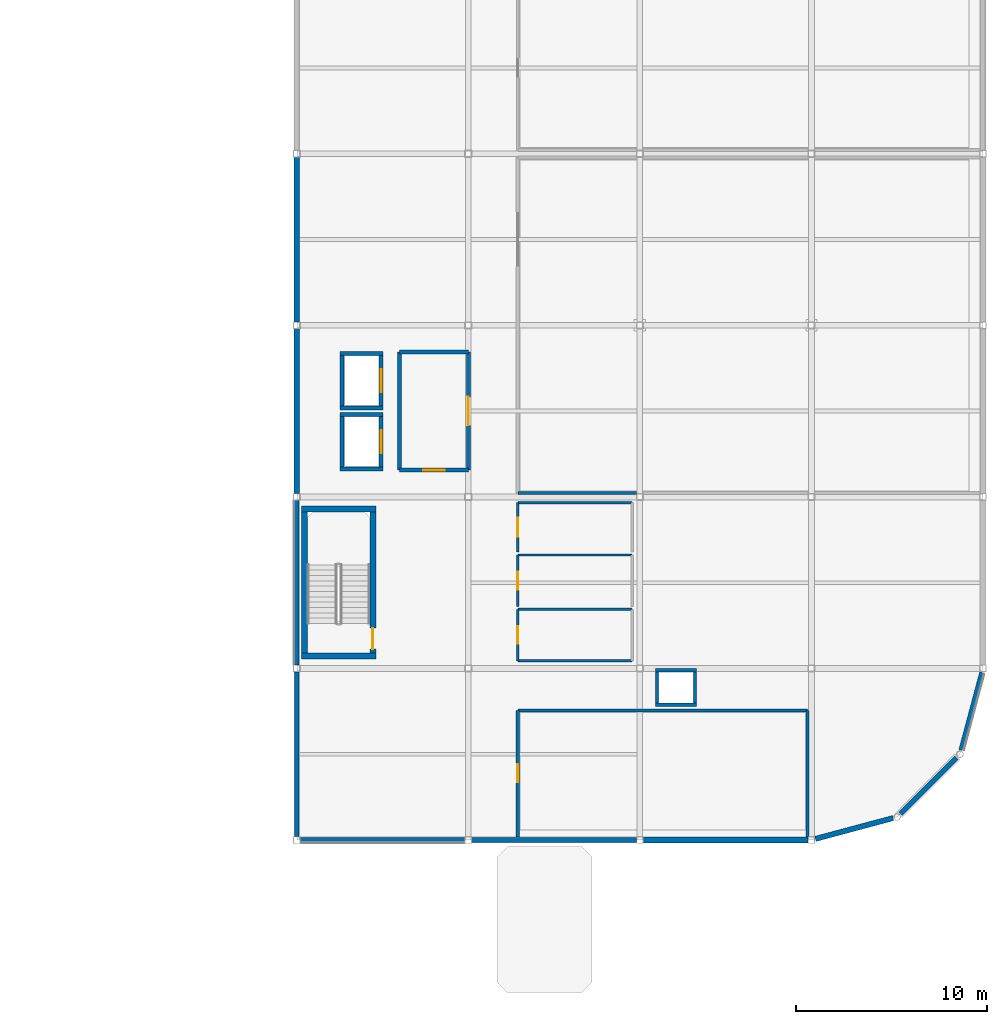
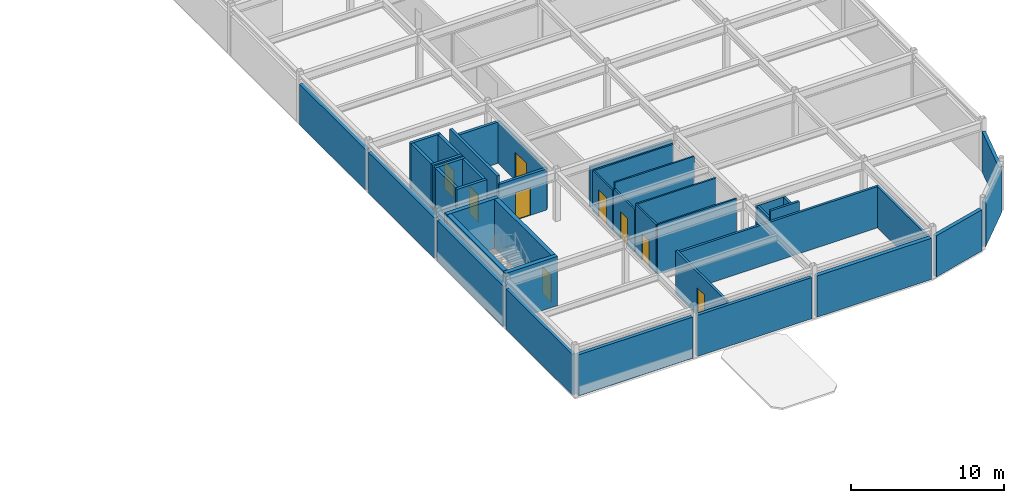
# One storey, part 31 of 40: 41 walls, 9 doors, 9 openings.
"""IFC4 building model written with IfcOpenShell, lengths in metres."""

from ifc_helpers import new_model, si_unit, direction, frame, frame_2d, origin, place, context, subcontext, project, spatial, rectangle, extrude, material, layer, layer_set, type_object, element, fill, save


model = new_model("IFC4")

# Units and contexts
model_context = context("Model", 3, precision=1e-05, world=origin(), true_north=direction((0.0, 1.0)))
body_context = subcontext(model_context, "Body", "Model", "MODEL_VIEW")
ifc_project = project(units=[si_unit("LENGTHUNIT", "METRE"), si_unit("AREAUNIT", "SQUARE_METRE"), si_unit("VOLUMEUNIT", "CUBIC_METRE"), si_unit("PLANEANGLEUNIT", "RADIAN"), si_unit("MASSUNIT", "GRAM", prefix="KILO")], contexts=[model_context])

# Site, building, storey
site_placement = place(None, origin())
site = spatial("IfcSite", under=ifc_project, at=site_placement, CompositionType="ELEMENT")
building_placement = place(site_placement, origin())
building = spatial("IfcBuilding", under=site, at=building_placement, Name="Suzunagisa Mobility Hub", CompositionType="ELEMENT")
storey_placement = place(building_placement, frame((0.0, 0.0, 21.89990234375)))
storey = spatial("IfcBuildingStorey", under=building, at=storey_placement, Name="L05", CompositionType="ELEMENT", Elevation=21.89990234375)

# Walls
ifc_material_1 = material(Name="Porcelain-Faced Insulated Concrete C30/37 Wall", Category="concrete")
ifc_layer_1 = layer(ifc_material_1, 0.260009765625)
ifc_layer_set_1 = layer_set([ifc_layer_1], Name="Porcelain-Faced Insulated Concrete C30/37 Wall")
wall_type_1 = type_object("IfcWallType", Name="Exterior Wall EW-03 260mm", PredefinedType="SOLIDWALL", material=ifc_layer_set_1)
wall_1_placement = place(storey_placement, frame((144.175048828125, 44.0, 0.0), z_axis=(0.0, 0.0, 1.0), x_axis=(1.0, 0.0, 0.0)))
element("IfcWall", 1, at=wall_1_placement, inside=storey, type_object=wall_type_1, Name="L05 Exterior Facade Wall EW-410", PredefinedType="SOLIDWALL", context=body_context, shape_type="SweptSolid", body=[
    extrude(rectangle(XDim=8.64990234375, YDim=0.260009765625, at=frame_2d((4.324951171875, 0.0))), origin(), (0.0, 0.0, 1.0), 3.2900390625),
])
wall_2_placement = place(storey_placement, frame((175.677734375, 45.383544921875, 0.0), z_axis=(0.0, 0.0, 1.0), x_axis=(0.707106781187, 0.707106781187, 0.0)))
element("IfcWall", 2, at=wall_2_placement, inside=storey, type_object=wall_type_1, Name="L05 Exterior Facade Wall EW-414", PredefinedType="SOLIDWALL", context=body_context, shape_type="SweptSolid", body=[
    extrude(rectangle(XDim=4.156005859375, YDim=0.260009765625, at=frame_2d((2.078125, 0.0))), origin(), (0.0, 0.0, 1.0), 3.5400390625),
])
wall_3_placement = place(storey_placement, frame((144.0, 61.824951171875, 0.0), z_axis=(0.0, 0.0, 1.0), x_axis=(0.0, -1.0, 0.0)))
element("IfcWall", 3, at=wall_3_placement, inside=storey, type_object=wall_type_1, Name="L05 Exterior Facade Wall EW-430", PredefinedType="SOLIDWALL", context=body_context, shape_type="SweptSolid", body=[
    extrude(rectangle(XDim=8.64990234375, YDim=0.260009765625, at=frame_2d((4.324951171875, 0.0))), origin(), (0.0, 0.0, 1.0), 3.239990234375),
])
ifc_material_2 = material(Name="Lightweight Insulated Autoclaved Concrete C30/37 Wall", Category="concrete")
ifc_layer_2 = layer(ifc_material_2, 0.239990234375)
ifc_layer_set_2 = layer_set([ifc_layer_2], Name="Lightweight Insulated Autoclaved Concrete C30/37 Wall")
wall_type_2 = type_object("IfcWallType", Name="Exterior Wall EW-04 240mm", PredefinedType="SOLIDWALL", material=ifc_layer_set_2)
wall_4_placement = place(storey_placement, frame((153.175048828125, 44.0, 0.0), z_axis=(0.0, 0.0, 1.0), x_axis=(1.0, 0.0, 0.0)))
element("IfcWall", 4, at=wall_4_placement, inside=storey, type_object=wall_type_2, Name="L05 Exterior Facade Wall EW-411", PredefinedType="SOLIDWALL", context=body_context, shape_type="SweptSolid", body=[
    extrude(rectangle(XDim=8.64990234375, YDim=0.239990234375, at=frame_2d((4.324951171875, 0.0))), origin(), (0.0, 0.0, 1.0), 3.2900390625),
])
wall_5_placement = place(storey_placement, frame((178.8505859375, 48.710205078125, 0.0), z_axis=(0.0, 0.0, 1.0), x_axis=(0.258823661135, 0.965924589415, 0.0)))
element("IfcWall", 5, at=wall_5_placement, inside=storey, type_object=wall_type_2, Name="L05 Exterior Facade Wall EW-415", PredefinedType="SOLIDWALL", context=body_context, shape_type="SweptSolid", body=[
    extrude(rectangle(XDim=4.226806640625, YDim=0.239990234375, at=frame_2d((2.11328125, 0.0))), origin(), (0.0, 0.0, 1.0), 3.239990234375),
])
wall_6_placement = place(storey_placement, frame((144.0, 52.824951171875, 0.0), z_axis=(0.0, 0.0, 1.0), x_axis=(0.0, -1.0, 0.0)))
element("IfcWall", 6, at=wall_6_placement, inside=storey, type_object=wall_type_2, Name="L05 Exterior Facade Wall EW-431", PredefinedType="SOLIDWALL", context=body_context, shape_type="SweptSolid", body=[
    extrude(rectangle(XDim=8.64990234375, YDim=0.239990234375, at=frame_2d((4.324951171875, 0.0))), origin(), (0.0, 0.0, 1.0), 3.239990234375),
])
ifc_layer_3 = layer(ifc_material_1, 0.280029296875)
ifc_layer_set_3 = layer_set([ifc_layer_3], Name="Porcelain-Faced Insulated Concrete C30/37 Wall")
wall_type_3 = type_object("IfcWallType", Name="Exterior Wall EW-08 280mm", PredefinedType="SOLIDWALL", material=ifc_layer_set_3)
wall_7_placement = place(storey_placement, frame((171.20703125, 44.055419921875, 0.0), z_axis=(0.0, 0.0, 1.0), x_axis=(0.965924589415, 0.258823661135, 0.0)))
element("IfcWall", 7, at=wall_7_placement, inside=storey, type_object=wall_type_3, Name="L05 Exterior Facade Wall EW-413", PredefinedType="SOLIDWALL", context=body_context, shape_type="SweptSolid", body=[
    extrude(rectangle(XDim=4.226806640625, YDim=0.280029296875, at=frame_2d((2.11328125, 0.0))), origin(), (0.0, 0.0, 1.0), 3.2900390625),
])
wall_8_placement = place(storey_placement, frame((144.0, 70.824951171875, 0.0), z_axis=(0.0, 0.0, 1.0), x_axis=(0.0, -1.0, 0.0)))
element("IfcWall", 8, at=wall_8_placement, inside=storey, type_object=wall_type_3, Name="L05 Exterior Facade Wall EW-429", PredefinedType="SOLIDWALL", context=body_context, shape_type="SweptSolid", body=[
    extrude(rectangle(XDim=8.64990234375, YDim=0.280029296875, at=frame_2d((4.324951171875, 0.0))), origin(), (0.0, 0.0, 1.0), 3.239990234375),
])
ifc_material_3 = material(Name="Insulated Precast Concrete C35/45 Panel", Category="concrete")
ifc_layer_4 = layer(ifc_material_3, 0.300048828125)
ifc_layer_set_4 = layer_set([ifc_layer_4], Name="Insulated Precast Concrete C35/45 Panel")
wall_type_4 = type_object("IfcWallType", Name="Exterior Wall EW-09 300mm", PredefinedType="SOLIDWALL", material=ifc_layer_set_4)
wall_9_placement = place(storey_placement, frame((162.175048828125, 44.0, 0.0), z_axis=(0.0, 0.0, 1.0), x_axis=(1.0, 0.0, 0.0)))
element("IfcWall", 9, at=wall_9_placement, inside=storey, type_object=wall_type_4, Name="L05 Exterior Facade Wall EW-412", PredefinedType="SOLIDWALL", context=body_context, shape_type="SweptSolid", body=[
    extrude(rectangle(XDim=8.64990234375, YDim=0.300048828125, at=frame_2d((4.324951171875, 0.0))), origin(), (0.0, 0.0, 1.0), 3.2900390625),
])
wall_10_placement = place(storey_placement, frame((144.0, 79.824951171875, 0.0), z_axis=(0.0, 0.0, 1.0), x_axis=(0.0, -1.0, 0.0)))
element("IfcWall", 10, at=wall_10_placement, inside=storey, type_object=wall_type_4, Name="L05 Exterior Facade Wall EW-428", PredefinedType="SOLIDWALL", context=body_context, shape_type="SweptSolid", body=[
    extrude(rectangle(XDim=8.64990234375, YDim=0.300048828125, at=frame_2d((4.324951171875, 0.0))), origin(), (0.0, 0.0, 1.0), 3.239990234375),
])
ifc_material_4 = material(Name="Concrete C35/45", Category="concrete")
ifc_layer_5 = layer(ifc_material_4, 0.31005859375)
ifc_layer_set_5 = layer_set([ifc_layer_5], Name="Concrete C35/45")
wall_type_5 = type_object("IfcWallType", Name="Interior Wall IW-01 310mm", PredefinedType="SHEAR", material=ifc_layer_set_5)
for number, where, z_axis, x_axis, name in (
    (11, (144.25, 53.64501953125, 0.0), (0.0, 0.0, 1.0), (1.0, 0.0, 0.0), "L05 Core C5 Shear Wall SW-437"),
    (12, (144.25, 61.35498046875, 0.0), (0.0, 0.0, 1.0), (1.0, 0.0, 0.0), "L05 Core C5 Shear Wall SW-438"),
):
    element("IfcWall", number, at=place(storey_placement, frame(where, z_axis=z_axis, x_axis=x_axis)), inside=storey, type_object=wall_type_5, Name=name, PredefinedType="SHEAR", context=body_context, shape_type="SweptSolid", body=[
        extrude(rectangle(XDim=3.89990234375, YDim=0.31005859375, at=frame_2d((1.949951171875, 0.0))), origin(), (0.0, 0.0, 1.0), 3.940185546875),
    ])
wall_11_placement = place(storey_placement, frame((144.405029296875, 53.800048828125, 0.0), z_axis=(0.0, 0.0, 1.0), x_axis=(0.0, 1.0, 0.0)))
element("IfcWall", 13, at=wall_11_placement, inside=storey, type_object=wall_type_5, Name="L05 Core C5 Shear Wall SW-439", PredefinedType="SHEAR", context=body_context, shape_type="SweptSolid", body=[
    extrude(rectangle(XDim=7.39990234375, YDim=0.31005859375, at=frame_2d((3.699951171875, 0.0))), origin(), (0.0, 0.0, 1.0), 3.940185546875),
])

# Wall, opening, door
wall_12_placement = place(storey_placement, frame((147.9951171875, 53.800048828125, 0.0), z_axis=(0.0, 0.0, 1.0), x_axis=(0.0, 1.0, 0.0)))
wall_12 = element("IfcWall", 14, at=wall_12_placement, inside=storey, type_object=wall_type_5, Name="L05 Core C5 Shear Wall SW-440", PredefinedType="SHEAR", context=body_context, shape_type="SweptSolid", body=[
    extrude(rectangle(XDim=7.39990234375, YDim=0.31005859375, at=frame_2d((3.699951171875, 0.0))), origin(), (0.0, 0.0, 1.0), 3.940185546875),
])
opening_1_placement = place(wall_12_placement, frame((0.219970703125, 0.0, 0.0)))
opening_1 = element("IfcOpeningElement", 15, at=opening_1_placement, cuts=wall_12, Name="Opening DR-05", PredefinedType="OPENING", context=body_context, shape_type="SweptSolid", body=[
    extrude(rectangle(XDim=1.10009765625, YDim=2.14990234375, at=frame_2d((0.550048828125, 1.074951171875))), frame((0.0, 0.166015625, 0.0), z_axis=(0.0, -1.0, 0.0), x_axis=(1.0, 0.0, 0.0)), (0.0, 0.0, 1.0), 0.33203125),
])
ifc_material_5 = material(Name="Fire-Rated Hollow Steel Stair Door", Category="steel")
door_type_1 = type_object("IfcDoorType", Name="Interior Door DR-05 1100x2150", OperationType="SINGLE_SWING_LEFT", PredefinedType="DOOR", material=ifc_material_5)
door_1_placement = place(opening_1_placement, origin())
door_1 = element("IfcDoor", 16, at=door_1_placement, inside=storey, type_object=door_type_1, Name="L05 Core C5 Escape Stair Fire Door SD-107", OperationType="SINGLE_SWING_RIGHT", OverallHeight=2.14990234375, OverallWidth=1.10009765625, PredefinedType="DOOR", context=body_context, shape_type="SweptSolid", body=[
    extrude(rectangle(XDim=1.10009765625, YDim=2.14990234375, at=frame_2d((0.550048828125, 1.074951171875))), frame((0.0, 0.02490234375, 0.0), z_axis=(0.0, -1.0, 0.0), x_axis=(1.0, 0.0, 0.0)), (0.0, 0.0, 1.0), 0.050048828125),
])
fill(opening_1, door_1)

# Walls
ifc_material_6 = material(Name="Moisture-Resistant Gypsum Partition", Category="gypsum")
ifc_layer_6 = layer(ifc_material_6, 0.1201171875)
ifc_layer_set_6 = layer_set([ifc_layer_6], Name="Moisture-Resistant Gypsum Partition")
wall_type_6 = type_object("IfcWallType", Name="Interior Wall IW-02 120mm", PredefinedType="PARTITIONING", material=ifc_layer_set_6)
for number, where, z_axis, x_axis, name in (
    (17, (155.60009765625, 53.39990234375, 0.0), (0.0, 0.0, 1.0), (1.0, 0.0, 0.0), "L05 Male Restroom WC L05 Partition PW-625"),
    (18, (155.60009765625, 56.10009765625, 0.0), (0.0, 0.0, 1.0), (1.0, 0.0, 0.0), "L05 Male Restroom WC L05 Partition PW-626"),
):
    element("IfcWall", number, at=place(storey_placement, frame(where, z_axis=z_axis, x_axis=x_axis)), inside=storey, type_object=wall_type_6, Name=name, PredefinedType="PARTITIONING", context=body_context, shape_type="SweptSolid", body=[
        extrude(rectangle(XDim=6.0, YDim=0.1201171875, at=frame_2d((3.0, 0.0))), origin(), (0.0, 0.0, 1.0), 3.940185546875),
    ])

# Wall, opening, door
wall_13_placement = place(storey_placement, frame((155.60009765625, 53.39990234375, 0.0), z_axis=(0.0, 0.0, 1.0), x_axis=(0.0, 1.0, 0.0)))
wall_13 = element("IfcWall", 19, at=wall_13_placement, inside=storey, type_object=wall_type_6, Name="L05 Male Restroom WC L05 Partition PW-627", PredefinedType="PARTITIONING", context=body_context, shape_type="SweptSolid", body=[
    extrude(rectangle(XDim=2.7001953125, YDim=0.1201171875, at=frame_2d((1.35009765625, 0.0))), origin(), (0.0, 0.0, 1.0), 3.940185546875),
])
opening_2_placement = place(wall_13_placement, frame((0.889892578125, 0.0, 0.0)))
opening_2 = element("IfcOpeningElement", 20, at=opening_2_placement, cuts=wall_13, Name="Opening DR-02", PredefinedType="OPENING", context=body_context, shape_type="SweptSolid", body=[
    extrude(rectangle(XDim=0.919921875, YDim=2.10009765625, at=frame_2d((0.4599609375, 1.050048828125))), frame((0.0, 0.071044921875, 0.0), z_axis=(0.0, -1.0, 0.0), x_axis=(1.0, 0.0, 0.0)), (0.0, 0.0, 1.0), 0.14208984375),
])
ifc_material_7 = material(Name="Sanitary Restroom Laminate Door")
door_type_2 = type_object("IfcDoorType", Name="Interior Door DR-02 920x2100", OperationType="SINGLE_SWING_LEFT", PredefinedType="DOOR", material=ifc_material_7)
door_2_placement = place(opening_2_placement, origin())
door_2 = element("IfcDoor", 21, at=door_2_placement, inside=storey, type_object=door_type_2, Name="L05 Male Restroom WC L05 Door DR-155", OperationType="SINGLE_SWING_RIGHT", OverallHeight=2.10009765625, OverallWidth=0.919921875, PredefinedType="DOOR", context=body_context, shape_type="SweptSolid", body=[
    extrude(rectangle(XDim=0.919921875, YDim=2.10009765625, at=frame_2d((0.4599609375, 1.050048828125))), frame((0.0, 0.02490234375, 0.0), z_axis=(0.0, -1.0, 0.0), x_axis=(1.0, 0.0, 0.0)), (0.0, 0.0, 1.0), 0.050048828125),
])
fill(opening_2, door_2)

# Wall
wall_14_placement = place(storey_placement, frame((155.60009765625, 58.949951171875, 0.0), z_axis=(0.0, 0.0, 1.0), x_axis=(1.0, 0.0, 0.0)))
element("IfcWall", 22, at=wall_14_placement, inside=storey, type_object=wall_type_6, Name="L05 Female Restroom WC L05 Partition PW-629", PredefinedType="PARTITIONING", context=body_context, shape_type="SweptSolid", body=[
    extrude(rectangle(XDim=6.0, YDim=0.1201171875, at=frame_2d((3.0, 0.0))), origin(), (0.0, 0.0, 1.0), 3.940185546875),
])

# Wall, opening, door
wall_15_placement = place(storey_placement, frame((155.60009765625, 56.25, 0.0), z_axis=(0.0, 0.0, 1.0), x_axis=(0.0, 1.0, 0.0)))
wall_15 = element("IfcWall", 23, at=wall_15_placement, inside=storey, type_object=wall_type_6, Name="L05 Female Restroom WC L05 Partition PW-630", PredefinedType="PARTITIONING", context=body_context, shape_type="SweptSolid", body=[
    extrude(rectangle(XDim=2.699951171875, YDim=0.1201171875, at=frame_2d((1.35009765625, 0.0))), origin(), (0.0, 0.0, 1.0), 3.440185546875),
])
opening_3_placement = place(wall_15_placement, frame((0.875, 0.0, 0.0)))
opening_3 = element("IfcOpeningElement", 24, at=opening_3_placement, cuts=wall_15, Name="Opening DR-19", PredefinedType="OPENING", context=body_context, shape_type="SweptSolid", body=[
    extrude(rectangle(XDim=0.949951171875, YDim=2.14990234375, at=frame_2d((0.47509765625, 1.074951171875))), frame((0.0, 0.071044921875, 0.0), z_axis=(0.0, -1.0, 0.0), x_axis=(1.0, 0.0, 0.0)), (0.0, 0.0, 1.0), 0.14208984375),
])
ifc_material_8 = material(Name="Sanitary Restroom Acoustic Door")
door_type_3 = type_object("IfcDoorType", Name="Interior Door DR-19 950x2150", OperationType="SINGLE_SWING_LEFT", PredefinedType="DOOR", material=ifc_material_8)
door_3_placement = place(opening_3_placement, origin())
door_3 = element("IfcDoor", 25, at=door_3_placement, inside=storey, type_object=door_type_3, Name="L05 Female Restroom WC L05 Door DR-156", OperationType="SINGLE_SWING_LEFT", OverallHeight=2.14990234375, OverallWidth=0.949951171875, PredefinedType="DOOR", context=body_context, shape_type="SweptSolid", body=[
    extrude(rectangle(XDim=0.949951171875, YDim=2.14990234375, at=frame_2d((0.47509765625, 1.074951171875))), frame((0.0, 0.02490234375, 0.0), z_axis=(0.0, -1.0, 0.0), x_axis=(1.0, 0.0, 0.0)), (0.0, 0.0, 1.0), 0.050048828125),
])
fill(opening_3, door_3)

# Wall
wall_16_placement = place(storey_placement, frame((155.60009765625, 61.699951171875, 0.0), z_axis=(0.0, 0.0, 1.0), x_axis=(1.0, 0.0, 0.0)))
element("IfcWall", 26, at=wall_16_placement, inside=storey, type_object=wall_type_6, Name="L05 Accessible Restroom WC L05 Partition PW-632", PredefinedType="PARTITIONING", context=body_context, shape_type="SweptSolid", body=[
    extrude(rectangle(XDim=6.0, YDim=0.1201171875, at=frame_2d((3.0, 0.0))), origin(), (0.0, 0.0, 1.0), 3.239990234375),
])

# Wall, opening, door
wall_17_placement = place(storey_placement, frame((155.60009765625, 59.10009765625, 0.0), z_axis=(0.0, 0.0, 1.0), x_axis=(0.0, 1.0, 0.0)))
wall_17 = element("IfcWall", 27, at=wall_17_placement, inside=storey, type_object=wall_type_6, Name="L05 Accessible Restroom WC L05 Partition PW-633", PredefinedType="PARTITIONING", context=body_context, shape_type="SweptSolid", body=[
    extrude(rectangle(XDim=2.599853515625, YDim=0.1201171875, at=frame_2d((1.2998046875, 0.0))), origin(), (0.0, 0.0, 1.0), 3.239990234375),
])
opening_4_placement = place(wall_17_placement, frame((0.800048828125, 0.0, 0.0)))
opening_4 = element("IfcOpeningElement", 28, at=opening_4_placement, cuts=wall_17, Name="Opening DR-01", PredefinedType="OPENING", context=body_context, shape_type="SweptSolid", body=[
    extrude(rectangle(XDim=1.0, YDim=2.14990234375, at=frame_2d((0.5, 1.074951171875))), frame((0.0, 0.071044921875, 0.0), z_axis=(0.0, -1.0, 0.0), x_axis=(1.0, 0.0, 0.0)), (0.0, 0.0, 1.0), 0.14208984375),
])
ifc_material_9 = material(Name="Barrier-Free Accessible WC Door")
door_type_4 = type_object("IfcDoorType", Name="Interior Door DR-01 1000x2150", OperationType="SINGLE_SWING_LEFT", PredefinedType="DOOR", material=ifc_material_9)
door_4_placement = place(opening_4_placement, origin())
door_4 = element("IfcDoor", 29, at=door_4_placement, inside=storey, type_object=door_type_4, Name="L05 Accessible Restroom WC L05 Door DR-157", OperationType="SINGLE_SWING_RIGHT", OverallHeight=2.14990234375, OverallWidth=1.0, PredefinedType="DOOR", context=body_context, shape_type="SweptSolid", body=[
    extrude(rectangle(XDim=1.0, YDim=2.14990234375, at=frame_2d((0.5, 1.074951171875))), frame((0.0, 0.02490234375, 0.0), z_axis=(0.0, -1.0, 0.0), x_axis=(1.0, 0.0, 0.0)), (0.0, 0.0, 1.0), 0.050048828125),
])
fill(opening_4, door_4)

ifc_material_10 = material(Name="Fire-Rated Gypsum Stud Partition", Category="gypsum")
ifc_layer_7 = layer(ifc_material_10, 0.2099609375)
ifc_layer_set_7 = layer_set([ifc_layer_7], Name="Fire-Rated Gypsum Stud Partition")
wall_type_7 = type_object("IfcWallType", Name="Interior Wall IW-03 210mm", PredefinedType="PARTITIONING", material=ifc_layer_set_7)
wall_18_placement = place(storey_placement, frame((148.425048828125, 63.580078125, 0.0), z_axis=(0.0, 0.0, 1.0), x_axis=(0.0, 1.0, 0.0)))
wall_18 = element("IfcWall", 30, at=wall_18_placement, inside=storey, type_object=wall_type_7, Name="L05 Lift LF-05 Shaft Front Wall", PredefinedType="PARTITIONING", context=body_context, shape_type="SweptSolid", body=[
    extrude(rectangle(XDim=2.639892578125, YDim=0.2099609375, at=frame_2d((1.31982421875, 0.0))), origin(), (0.0, 0.0, 1.0), 3.940185546875),
])
opening_5_placement = place(wall_18_placement, frame((0.719970703125, 0.0, 0.0)))
opening_5 = element("IfcOpeningElement", 31, at=opening_5_placement, cuts=wall_18, Name="Opening LD-03", PredefinedType="OPENING", context=body_context, shape_type="SweptSolid", body=[
    extrude(rectangle(XDim=1.199951171875, YDim=2.199951171875, at=frame_2d((0.60009765625, 1.10009765625))), frame((0.0, 0.115966796875, 0.0), z_axis=(0.0, -1.0, 0.0), x_axis=(1.0, 0.0, 0.0)), (0.0, 0.0, 1.0), 0.23193359375),
])
ifc_material_11 = material(Name="Brushed Stainless Steel SUS304", Category="metal")
door_type_5 = type_object("IfcDoorType", Name="Lift Landing Sliding Door LD-03 1200x2200", OperationType="SLIDING_TO_LEFT", PredefinedType="DOOR", material=ifc_material_11)
door_5_placement = place(opening_5_placement, origin())
door_5 = element("IfcDoor", 32, at=door_5_placement, inside=storey, type_object=door_type_5, Name="L05 Lift LF-05 Sliding Landing Door", OperationType="SLIDING_TO_RIGHT", OverallHeight=2.199951171875, OverallWidth=1.199951171875, PredefinedType="DOOR", context=body_context, shape_type="SweptSolid", body=[
    extrude(rectangle(XDim=1.199951171875, YDim=2.199951171875, at=frame_2d((0.60009765625, 1.10009765625))), frame((0.0, 0.02490234375, 0.0), z_axis=(0.0, -1.0, 0.0), x_axis=(1.0, 0.0, 0.0)), (0.0, 0.0, 1.0), 0.050048828125),
])
fill(opening_5, door_5)

# Walls
wall_19_placement = place(storey_placement, frame((146.375, 63.580078125, 0.0), z_axis=(0.0, 0.0, 1.0), x_axis=(0.0, 1.0, 0.0)))
element("IfcWall", 33, at=wall_19_placement, inside=storey, type_object=wall_type_7, Name="L05 Lift LF-05 Shaft Back Wall", PredefinedType="PARTITIONING", context=body_context, shape_type="SweptSolid", body=[
    extrude(rectangle(XDim=2.639892578125, YDim=0.2099609375, at=frame_2d((1.31982421875, 0.0))), origin(), (0.0, 0.0, 1.0), 3.940185546875),
])
for number, where, z_axis, x_axis, name in (
    (34, (146.27001953125, 63.47509765625, 0.0), (0.0, 0.0, 1.0), (1.0, 0.0, 0.0), "L05 Lift LF-05 Shaft South Wall"),
    (35, (146.27001953125, 66.324951171875, 0.0), (0.0, 0.0, 1.0), (1.0, 0.0, 0.0), "L05 Lift LF-05 Shaft North Wall"),
):
    element("IfcWall", number, at=place(storey_placement, frame(where, z_axis=z_axis, x_axis=x_axis)), inside=storey, type_object=wall_type_7, Name=name, PredefinedType="PARTITIONING", context=body_context, shape_type="SweptSolid", body=[
        extrude(rectangle(XDim=2.260009765625, YDim=0.2099609375, at=frame_2d((1.1298828125, 0.0))), origin(), (0.0, 0.0, 1.0), 3.940185546875),
    ])

# Wall, opening, door
wall_20_placement = place(storey_placement, frame((148.425048828125, 66.780029296875, 0.0), z_axis=(0.0, 0.0, 1.0), x_axis=(0.0, 1.0, 0.0)))
wall_20 = element("IfcWall", 36, at=wall_20_placement, inside=storey, type_object=wall_type_7, Name="L05 Lift LF-06 Shaft Front Wall", PredefinedType="PARTITIONING", context=body_context, shape_type="SweptSolid", body=[
    extrude(rectangle(XDim=2.639892578125, YDim=0.2099609375, at=frame_2d((1.31982421875, 0.0))), origin(), (0.0, 0.0, 1.0), 3.940185546875),
])
opening_6_placement = place(wall_20_placement, frame((0.719970703125, 0.0, 0.0)))
opening_6 = element("IfcOpeningElement", 37, at=opening_6_placement, cuts=wall_20, Name="Opening LD-03", PredefinedType="OPENING", context=body_context, shape_type="SweptSolid", body=[
    extrude(rectangle(XDim=1.199951171875, YDim=2.199951171875, at=frame_2d((0.60009765625, 1.10009765625))), frame((0.0, 0.115966796875, 0.0), z_axis=(0.0, -1.0, 0.0), x_axis=(1.0, 0.0, 0.0)), (0.0, 0.0, 1.0), 0.23193359375),
])
door_6_placement = place(opening_6_placement, origin())
door_6 = element("IfcDoor", 38, at=door_6_placement, inside=storey, type_object=door_type_5, Name="L05 Lift LF-06 Sliding Landing Door", OperationType="SLIDING_TO_LEFT", OverallHeight=2.199951171875, OverallWidth=1.199951171875, PredefinedType="DOOR", context=body_context, shape_type="SweptSolid", body=[
    extrude(rectangle(XDim=1.199951171875, YDim=2.199951171875, at=frame_2d((0.60009765625, 1.10009765625))), frame((0.0, 0.02490234375, 0.0), z_axis=(0.0, -1.0, 0.0), x_axis=(1.0, 0.0, 0.0)), (0.0, 0.0, 1.0), 0.050048828125),
])
fill(opening_6, door_6)

# Walls
wall_21_placement = place(storey_placement, frame((146.375, 66.780029296875, 0.0), z_axis=(0.0, 0.0, 1.0), x_axis=(0.0, 1.0, 0.0)))
element("IfcWall", 39, at=wall_21_placement, inside=storey, type_object=wall_type_7, Name="L05 Lift LF-06 Shaft Back Wall", PredefinedType="PARTITIONING", context=body_context, shape_type="SweptSolid", body=[
    extrude(rectangle(XDim=2.639892578125, YDim=0.2099609375, at=frame_2d((1.31982421875, 0.0))), origin(), (0.0, 0.0, 1.0), 3.940185546875),
])
for number, where, z_axis, x_axis, name in (
    (40, (146.27001953125, 66.675048828125, 0.0), (0.0, 0.0, 1.0), (1.0, 0.0, 0.0), "L05 Lift LF-06 Shaft South Wall"),
    (41, (146.27001953125, 69.52490234375, 0.0), (0.0, 0.0, 1.0), (1.0, 0.0, 0.0), "L05 Lift LF-06 Shaft North Wall"),
):
    element("IfcWall", number, at=place(storey_placement, frame(where, z_axis=z_axis, x_axis=x_axis)), inside=storey, type_object=wall_type_7, Name=name, PredefinedType="PARTITIONING", context=body_context, shape_type="SweptSolid", body=[
        extrude(rectangle(XDim=2.260009765625, YDim=0.2099609375, at=frame_2d((1.1298828125, 0.0))), origin(), (0.0, 0.0, 1.0), 3.940185546875),
    ])

# Wall, opening, door
wall_22_placement = place(storey_placement, frame((149.39990234375, 63.39990234375, 0.0), z_axis=(0.0, 0.0, 1.0), x_axis=(1.0, 0.0, 0.0)))
wall_22 = element("IfcWall", 42, at=wall_22_placement, inside=storey, type_object=wall_type_7, Name="L05 Firefighting Lift Lobby L05 Partition PW-557", PredefinedType="PARTITIONING", context=body_context, shape_type="SweptSolid", body=[
    extrude(rectangle(XDim=3.60009765625, YDim=0.2099609375, at=frame_2d((1.800048828125, 0.0))), origin(), (0.0, 0.0, 1.0), 3.2900390625),
])
opening_7_placement = place(wall_22_placement, frame((1.22509765625, 0.0, 0.0)))
opening_7 = element("IfcOpeningElement", 43, at=opening_7_placement, cuts=wall_22, Name="Opening DR-20", PredefinedType="OPENING", context=body_context, shape_type="SweptSolid", body=[
    extrude(rectangle(XDim=1.14990234375, YDim=2.199951171875, at=frame_2d((0.574951171875, 1.10009765625))), frame((0.0, 0.115966796875, 0.0), z_axis=(0.0, -1.0, 0.0), x_axis=(1.0, 0.0, 0.0)), (0.0, 0.0, 1.0), 0.23193359375),
])
door_type_6 = type_object("IfcDoorType", Name="Interior Door DR-20 1150x2200", OperationType="SINGLE_SWING_LEFT", PredefinedType="DOOR", material=ifc_material_5)
door_7_placement = place(opening_7_placement, origin())
door_7 = element("IfcDoor", 44, at=door_7_placement, inside=storey, type_object=door_type_6, Name="L05 Firefighting Lobby to Escape Stair Door SD-133", OperationType="SINGLE_SWING_RIGHT", OverallHeight=2.199951171875, OverallWidth=1.14990234375, PredefinedType="DOOR", context=body_context, shape_type="SweptSolid", body=[
    extrude(rectangle(XDim=1.14990234375, YDim=2.199951171875, at=frame_2d((0.574951171875, 1.10009765625))), frame((0.0, 0.02490234375, 0.0), z_axis=(0.0, -1.0, 0.0), x_axis=(1.0, 0.0, 0.0)), (0.0, 0.0, 1.0), 0.050048828125),
])
fill(opening_7, door_7)

# Walls
wall_23_placement = place(storey_placement, frame((149.39990234375, 69.60009765625, 0.0), z_axis=(0.0, 0.0, 1.0), x_axis=(1.0, 0.0, 0.0)))
element("IfcWall", 45, at=wall_23_placement, inside=storey, type_object=wall_type_7, Name="L05 Firefighting Lift Lobby L05 Partition PW-558", PredefinedType="PARTITIONING", context=body_context, shape_type="SweptSolid", body=[
    extrude(rectangle(XDim=3.60009765625, YDim=0.2099609375, at=frame_2d((1.800048828125, 0.0))), origin(), (0.0, 0.0, 1.0), 3.2900390625),
])
wall_24_placement = place(storey_placement, frame((149.39990234375, 63.39990234375, 0.0), z_axis=(0.0, 0.0, 1.0), x_axis=(0.0, 1.0, 0.0)))
element("IfcWall", 46, at=wall_24_placement, inside=storey, type_object=wall_type_7, Name="L05 Firefighting Lift Lobby L05 Partition PW-559", PredefinedType="PARTITIONING", context=body_context, shape_type="SweptSolid", body=[
    extrude(rectangle(XDim=6.2001953125, YDim=0.2099609375, at=frame_2d((3.10009765625, 0.0))), origin(), (0.0, 0.0, 1.0), 3.940185546875),
])

# Wall, opening, door
wall_25_placement = place(storey_placement, frame((153.0, 63.39990234375, 0.0), z_axis=(0.0, 0.0, 1.0), x_axis=(0.0, 1.0, 0.0)))
wall_25 = element("IfcWall", 47, at=wall_25_placement, inside=storey, type_object=wall_type_7, Name="L05 Firefighting Lift Lobby L05 Partition PW-560", PredefinedType="PARTITIONING", context=body_context, shape_type="SweptSolid", body=[
    extrude(rectangle(XDim=6.2001953125, YDim=0.2099609375, at=frame_2d((3.10009765625, 0.0))), origin(), (0.0, 0.0, 1.0), 3.2900390625),
])
opening_8_placement = place(wall_25_placement, frame((2.35009765625, 0.0, 0.0)))
opening_8 = element("IfcOpeningElement", 48, at=opening_8_placement, cuts=wall_25, Name="Opening DR-15", PredefinedType="OPENING", context=body_context, shape_type="SweptSolid", body=[
    extrude(rectangle(XDim=1.5, YDim=2.25, at=frame_2d((0.75, 1.125))), frame((0.0, 0.115966796875, 0.0), z_axis=(0.0, -1.0, 0.0), x_axis=(1.0, 0.0, 0.0)), (0.0, 0.0, 1.0), 0.23193359375),
])
ifc_material_12 = material(Name="Smoke-Control Double Fire Door")
door_type_7 = type_object("IfcDoorType", Name="Interior Door DR-15 1500x2250", OperationType="SINGLE_SWING_LEFT", PredefinedType="DOOR", material=ifc_material_12)
door_8_placement = place(opening_8_placement, origin())
door_8 = element("IfcDoor", 49, at=door_8_placement, inside=storey, type_object=door_type_7, Name="L05 Firefighting Lift Lobby L05 Door DR-134", OperationType="SINGLE_SWING_LEFT", OverallHeight=2.25, OverallWidth=1.5, PredefinedType="DOOR", context=body_context, shape_type="SweptSolid", body=[
    extrude(rectangle(XDim=1.5, YDim=2.25, at=frame_2d((0.75, 1.125))), frame((0.0, 0.02490234375, 0.0), z_axis=(0.0, -1.0, 0.0), x_axis=(1.0, 0.0, 0.0)), (0.0, 0.0, 1.0), 0.050048828125),
])
fill(opening_8, door_8)

# Walls
ifc_layer_8 = layer(ifc_material_10, 0.169921875)
ifc_layer_set_8 = layer_set([ifc_layer_8], Name="Fire-Rated Gypsum Stud Partition")
wall_type_8 = type_object("IfcWallType", Name="Interior Wall IW-05 170mm", PredefinedType="PARTITIONING", material=ifc_layer_set_8)
wall_26_placement = place(storey_placement, frame((162.81494140625, 51.10009765625, 0.0), z_axis=(0.0, 0.0, 1.0), x_axis=(1.0, 0.0, 0.0)))
element("IfcWall", 50, at=wall_26_placement, inside=storey, type_object=wall_type_8, Name="L05 MEP Service Riser Wall RW-525", PredefinedType="PARTITIONING", context=body_context, shape_type="SweptSolid", body=[
    extrude(rectangle(XDim=2.170166015625, YDim=0.169921875, at=frame_2d((1.0849609375, 0.0))), origin(), (0.0, 0.0, 1.0), 3.920166015625),
])
wall_27_placement = place(storey_placement, frame((162.81494140625, 52.89990234375, 0.0), z_axis=(0.0, 0.0, 1.0), x_axis=(1.0, 0.0, 0.0)))
element("IfcWall", 51, at=wall_27_placement, inside=storey, type_object=wall_type_8, Name="L05 MEP Service Riser Wall RW-526", PredefinedType="PARTITIONING", context=body_context, shape_type="SweptSolid", body=[
    extrude(rectangle(XDim=2.170166015625, YDim=0.169921875, at=frame_2d((1.0849609375, 0.0))), origin(), (0.0, 0.0, 1.0), 3.239990234375),
])
for number, where, z_axis, x_axis, name in (
    (52, (162.89990234375, 51.18505859375, 0.0), (0.0, 0.0, 1.0), (0.0, 1.0, 0.0), "L05 MEP Service Riser Wall RW-527"),
    (53, (164.89990234375, 51.18505859375, 0.0), (0.0, 0.0, 1.0), (0.0, 1.0, 0.0), "L05 MEP Service Riser Wall RW-528"),
):
    element("IfcWall", number, at=place(storey_placement, frame(where, z_axis=z_axis, x_axis=x_axis)), inside=storey, type_object=wall_type_8, Name=name, PredefinedType="PARTITIONING", context=body_context, shape_type="SweptSolid", body=[
        extrude(rectangle(XDim=1.6298828125, YDim=0.169921875, at=frame_2d((0.81494140625, 0.0))), origin(), (0.0, 0.0, 1.0), 3.239990234375),
    ])
wall_28_placement = place(storey_placement, frame((155.60009765625, 62.199951171875, 0.0), z_axis=(0.0, 0.0, 1.0), x_axis=(1.0, 0.0, 0.0)))
element("IfcWall", 54, at=wall_28_placement, inside=storey, type_object=wall_type_8, Name="L05 Sports Club Pavilion Lounge and Reception Hall Partition PW-883", PredefinedType="PARTITIONING", context=body_context, shape_type="SweptSolid", body=[
    extrude(rectangle(XDim=6.224853515625, YDim=0.169921875, at=frame_2d((3.1123046875, 0.0))), origin(), (0.0, 0.0, 1.0), 3.239990234375),
])
wall_29_placement = place(storey_placement, frame((155.60009765625, 50.800048828125, 0.0), z_axis=(0.0, 0.0, 1.0), x_axis=(1.0, 0.0, 0.0)))
element("IfcWall", 55, at=wall_29_placement, inside=storey, type_object=wall_type_8, Name="L05 Athletes Changing and Physiotherapy Suite L05 Partition PW-894", PredefinedType="PARTITIONING", context=body_context, shape_type="SweptSolid", body=[
    extrude(rectangle(XDim=15.199951171875, YDim=0.169921875, at=frame_2d((7.60009765625, 0.0))), origin(), (0.0, 0.0, 1.0), 3.2900390625),
])

# Wall, opening, door
wall_30_placement = place(storey_placement, frame((155.60009765625, 44.1650390625, 0.0), z_axis=(0.0, 0.0, 1.0), x_axis=(0.0, 1.0, 0.0)))
wall_30 = element("IfcWall", 56, at=wall_30_placement, inside=storey, type_object=wall_type_8, Name="L05 Athletes Changing and Physiotherapy Suite L05 Partition PW-895", PredefinedType="PARTITIONING", context=body_context, shape_type="SweptSolid", body=[
    extrude(rectangle(XDim=6.635009765625, YDim=0.169921875, at=frame_2d((3.3173828125, 0.0))), origin(), (0.0, 0.0, 1.0), 3.440185546875),
])
opening_9_placement = place(wall_30_placement, frame((2.85498046875, 0.0, 0.0)))
opening_9 = element("IfcOpeningElement", 57, at=opening_9_placement, cuts=wall_30, Name="Opening DR-13", PredefinedType="OPENING", context=body_context, shape_type="SweptSolid", body=[
    extrude(rectangle(XDim=0.9599609375, YDim=2.199951171875, at=frame_2d((0.47998046875, 1.10009765625))), frame((0.0, 0.095947265625, 0.0), z_axis=(0.0, -1.0, 0.0), x_axis=(1.0, 0.0, 0.0)), (0.0, 0.0, 1.0), 0.19189453125),
])
ifc_material_13 = material(Name="Anodized Aluminum Framed Acoustic Door", Category="aluminium")
door_type_8 = type_object("IfcDoorType", Name="Interior Door DR-13 960x2200", OperationType="SINGLE_SWING_LEFT", PredefinedType="DOOR", material=ifc_material_13)
door_9_placement = place(opening_9_placement, origin())
door_9 = element("IfcDoor", 58, at=door_9_placement, inside=storey, type_object=door_type_8, Name="L05 Athletes Changing and Physiotherapy Suite L05 Door DR-222", OperationType="SINGLE_SWING_LEFT", OverallHeight=2.199951171875, OverallWidth=0.9599609375, PredefinedType="DOOR", context=body_context, shape_type="SweptSolid", body=[
    extrude(rectangle(XDim=0.9599609375, YDim=2.199951171875, at=frame_2d((0.47998046875, 1.10009765625))), frame((0.0, 0.02490234375, 0.0), z_axis=(0.0, -1.0, 0.0), x_axis=(1.0, 0.0, 0.0)), (0.0, 0.0, 1.0), 0.050048828125),
])
fill(opening_9, door_9)

# Wall
wall_31_placement = place(storey_placement, frame((170.800048828125, 44.1650390625, 0.0), z_axis=(0.0, 0.0, 1.0), x_axis=(0.0, 1.0, 0.0)))
element("IfcWall", 59, at=wall_31_placement, inside=storey, type_object=wall_type_8, Name="L05 Athletes Changing and Physiotherapy Suite L05 Partition PW-896", PredefinedType="PARTITIONING", context=body_context, shape_type="SweptSolid", body=[
    extrude(rectangle(XDim=6.635009765625, YDim=0.169921875, at=frame_2d((3.3173828125, 0.0))), origin(), (0.0, 0.0, 1.0), 3.2900390625),
])

save(model, "model.ifc")
